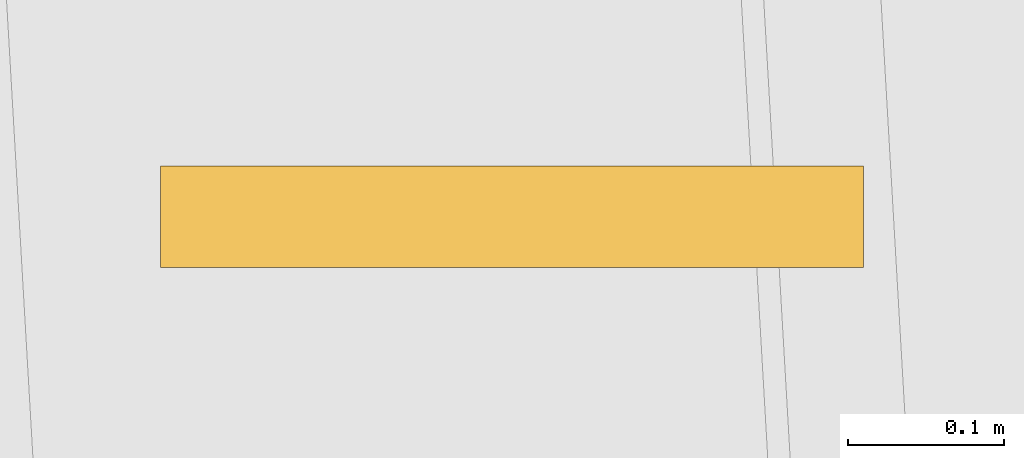
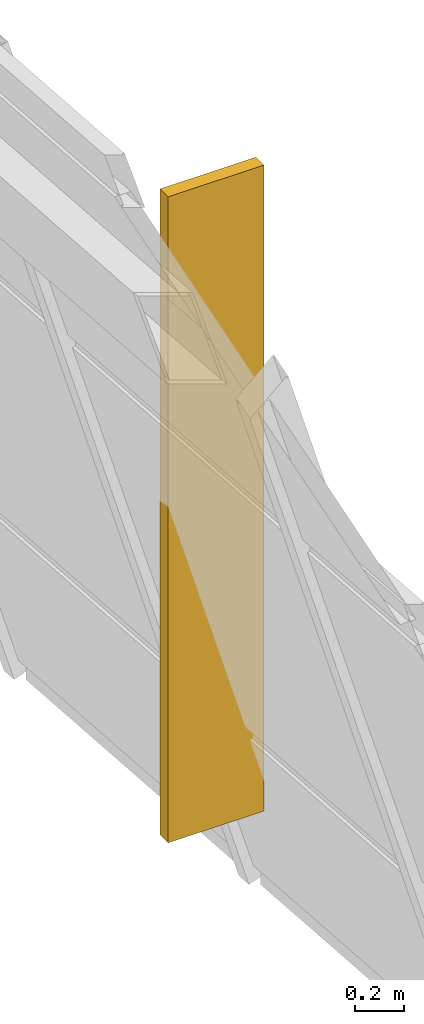
# One storey, part 67 of 67: 1 shading device.
"""IFC4 building model written with IfcOpenShell, lengths in metres."""

from ifc_helpers import new_model, si_unit, direction, frame, origin, origin_2d, place, context, subcontext, project, spatial, rectangle, extrude, material, type_object, element, save


model = new_model("IFC4")

# Units and contexts
model_context = context("Model", 3, precision=1e-05, world=origin(), true_north=direction((0.0, 1.0)))
body_context = subcontext(model_context, "Body", "Model", "MODEL_VIEW")
ifc_project = project(units=[si_unit("LENGTHUNIT", "METRE"), si_unit("AREAUNIT", "SQUARE_METRE"), si_unit("VOLUMEUNIT", "CUBIC_METRE"), si_unit("PLANEANGLEUNIT", "RADIAN"), si_unit("MASSUNIT", "GRAM", prefix="KILO")], contexts=[model_context])

# Site, building, storey
site_placement = place(None, origin())
site = spatial("IfcSite", under=ifc_project, at=site_placement, CompositionType="ELEMENT")
building_placement = place(site_placement, origin())
building = spatial("IfcBuilding", under=site, at=building_placement, Name="Pellamere Symphony Hall", CompositionType="ELEMENT")
storey_placement = place(building_placement, frame((0.0, 0.0, 19.5)))
storey = spatial("IfcBuildingStorey", under=building, at=storey_placement, Name="L04", CompositionType="ELEMENT", Elevation=19.5)

# Shading device
ifc_material = material(Name="Champagne-Anodised Extruded Aluminium 6063-T6", Category="aluminium")
shading_device_type = type_object("IfcShadingDeviceType", Name="Exterior Shading SD-01 65x450", PredefinedType="SHUTTER", material=ifc_material)
shading_device_placement = place(storey_placement, frame((120.4814453125, 89.199951171875, 0.64990234375), z_axis=(0.0, 0.0, 1.0), x_axis=(0.0, 1.0, 0.0)))
element("IfcShadingDevice", 1, at=shading_device_placement, inside=storey, type_object=shading_device_type, Name="Crystal Acoustic Sunshade Fin CW-CR09 (L04)", PredefinedType="SHUTTER", context=body_context, shape_type="SweptSolid", body=[
    extrude(rectangle(XDim=0.06494140625, YDim=0.449951171875, at=origin_2d()), origin(), (0.0, 0.0, 1.0), 3.199951171875),
])

save(model, "model.ifc")
